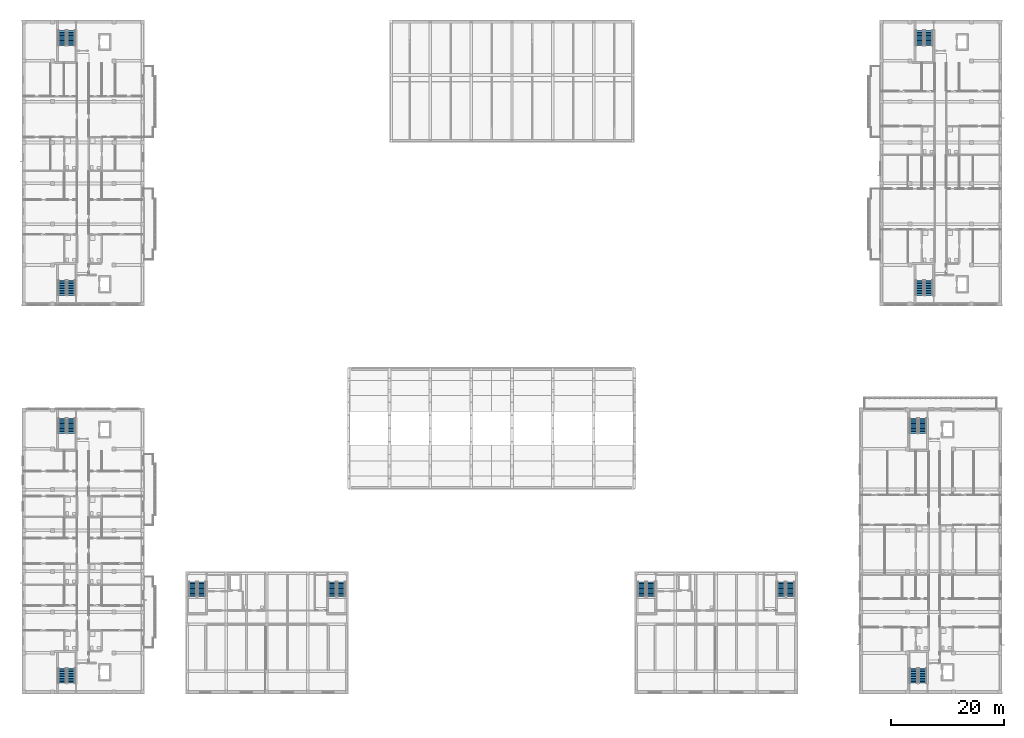
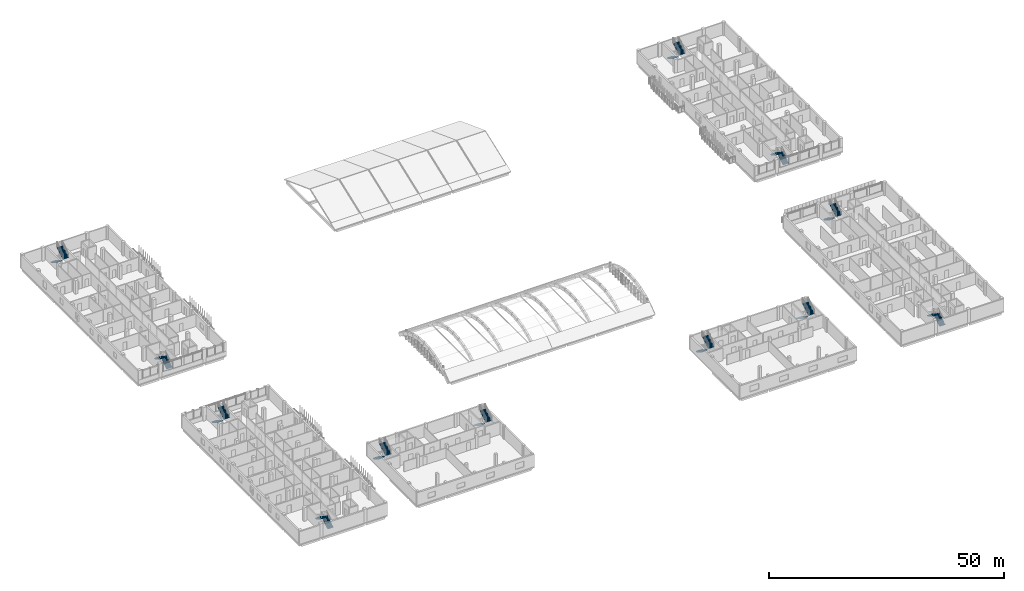
# One storey, part 52 of 73: 24 stair flights, 12 elements without a shape of their own.
"""IFC4 building model written with IfcOpenShell, lengths in metres."""

from ifc_helpers import new_model, si_unit, derived_unit, direction, frame, origin, place, context, subcontext, project, spatial, polyline, outline, extrude, material, type_object, element, aggregate, save


model = new_model("IFC4")

# Units and contexts
model_context = context("Model", 3, precision=1e-05, world=origin(), true_north=direction((0.0, 1.0)))
body_context = subcontext(model_context, "Body", "Model", "MODEL_VIEW")
ifc_project = project(units=[si_unit("LENGTHUNIT", "METRE"), si_unit("AREAUNIT", "SQUARE_METRE"), si_unit("VOLUMEUNIT", "CUBIC_METRE"), si_unit("PLANEANGLEUNIT", "RADIAN"), si_unit("MASSUNIT", "GRAM", prefix="KILO"), derived_unit("THERMALTRANSMITTANCEUNIT", [(si_unit("MASSUNIT", "GRAM", prefix="KILO"), 1), (si_unit("TIMEUNIT", "SECOND"), -3), (si_unit("THERMODYNAMICTEMPERATUREUNIT", "KELVIN"), -1)])], contexts=[model_context])

# Site, building, storey
site_placement = place(None, origin())
site = spatial("IfcSite", under=ifc_project, at=site_placement, CompositionType="ELEMENT")
building_placement = place(site_placement, origin())
building = spatial("IfcBuilding", under=site, at=building_placement, Name="Ochrekiln Boulevard Commons", CompositionType="ELEMENT")
storey_placement = place(building_placement, frame((0.0, 0.0, 8.574951171875)))
storey = spatial("IfcBuildingStorey", under=building, at=storey_placement, Name="L02", CompositionType="ELEMENT", Elevation=8.574951171875)

# Stair, stair flights
ifc_material = material(Name="Concrete C35/45", Category="concrete")
stair_type = type_object("IfcStairType", Name="STR-DL-350", PredefinedType="TWO_STRAIGHT_RUN_STAIR", material=ifc_material)
stair_1_placement = place(storey_placement, origin())
stair_1 = element("IfcStair", 1, at=stair_1_placement, inside=storey, type_object=stair_type, Name="L02 Enclosed Exit Stair ST-A1", PredefinedType="TWO_STRAIGHT_RUN_STAIR")
stair_flight_type = type_object("IfcStairFlightType", Name="SFL-ST-350", PredefinedType="STRAIGHT", material=ifc_material)
stair_flight_1_placement = place(storey_placement, frame((8.699951171875, 70.27001953125, 0.0), z_axis=(0.0, 0.0, 1.0), x_axis=(0.0, 1.0, 0.0)))
stair_flight_1 = element("IfcStairFlight", 2, at=stair_flight_1_placement, type_object=stair_flight_type, Name="ST-A1 flight 1", NumberOfRisers=10, NumberOfTreads=9, PredefinedType="STRAIGHT", RiserHeight=0.175, TreadLength=0.29, context=body_context, shape_type="SweptSolid", body=[
    extrude(outline(polyline([(0.0, 0.0), (0.0, 0.175048828125), (0.2900390625, 0.175048828125), (0.2900390625, 0.35009765625), (0.580078125, 0.35009765625), (0.580078125, 0.52490234375), (0.8701171875, 0.52490234375), (0.8701171875, 0.699951171875), (1.159912109375, 0.699951171875), (1.159912109375, 0.875), (1.449951171875, 0.875), (1.449951171875, 1.050048828125), (1.739990234375, 1.050048828125), (1.739990234375, 1.22509765625), (2.030029296875, 1.22509765625), (2.030029296875, 1.39990234375), (2.320068359375, 1.39990234375), (2.320068359375, 1.574951171875), (2.610107421875, 1.574951171875), (2.610107421875, 1.75), (2.610107421875, 1.38818359375), (0.3095703125, 0.0), (0.0, 0.0)])), frame((0.0, 0.699951171875, 0.0), z_axis=(0.0, -1.0, 0.0), x_axis=(1.0, 0.0, 0.0)), (0.0, 0.0, 1.0), 1.39990234375),
])
stair_flight_2_placement = place(storey_placement, frame((7.10009765625, 72.8798828125, 1.75), z_axis=(0.0, 0.0, 1.0), x_axis=(0.0, -1.0, 0.0)))
stair_flight_2 = element("IfcStairFlight", 3, at=stair_flight_2_placement, type_object=stair_flight_type, Name="ST-A1 flight 2", NumberOfRisers=10, NumberOfTreads=9, PredefinedType="STRAIGHT", RiserHeight=0.175, TreadLength=0.29, context=body_context, shape_type="SweptSolid", body=[
    extrude(outline(polyline([(0.0, 0.0), (0.0, 0.175048828125), (0.2900390625, 0.175048828125), (0.2900390625, 0.35009765625), (0.580078125, 0.35009765625), (0.580078125, 0.52490234375), (0.8701171875, 0.52490234375), (0.8701171875, 0.699951171875), (1.159912109375, 0.699951171875), (1.159912109375, 0.875), (1.449951171875, 0.875), (1.449951171875, 1.050048828125), (1.739990234375, 1.050048828125), (1.739990234375, 1.22509765625), (2.030029296875, 1.22509765625), (2.030029296875, 1.39990234375), (2.320068359375, 1.39990234375), (2.320068359375, 1.574951171875), (2.610107421875, 1.574951171875), (2.610107421875, 1.75), (2.610107421875, 1.38818359375), (0.3095703125, 0.0), (0.0, 0.0)])), frame((0.0, 0.699951171875, 0.0), z_axis=(0.0, -1.0, 0.0), x_axis=(1.0, 0.0, 0.0)), (0.0, 0.0, 1.0), 1.39990234375),
])
aggregate(stair_1, [stair_flight_1, stair_flight_2])

stair_2_placement = place(storey_placement, origin())
stair_2 = element("IfcStair", 4, at=stair_2_placement, inside=storey, type_object=stair_type, Name="L02 Enclosed Exit Stair ST-A2", PredefinedType="TWO_STRAIGHT_RUN_STAIR")
stair_flight_3_placement = place(storey_placement, frame((7.10009765625, 116.929931640625, 0.0), z_axis=(0.0, 0.0, 1.0), x_axis=(0.0, -1.0, 0.0)))
stair_flight_3 = element("IfcStairFlight", 5, at=stair_flight_3_placement, type_object=stair_flight_type, Name="ST-A2 flight 1", NumberOfRisers=10, NumberOfTreads=9, PredefinedType="STRAIGHT", RiserHeight=0.175, TreadLength=0.29, context=body_context, shape_type="SweptSolid", body=[
    extrude(outline(polyline([(0.0, 0.0), (0.0, 0.175048828125), (0.2900390625, 0.175048828125), (0.2900390625, 0.35009765625), (0.580078125, 0.35009765625), (0.580078125, 0.52490234375), (0.8701171875, 0.52490234375), (0.8701171875, 0.699951171875), (1.159912109375, 0.699951171875), (1.159912109375, 0.875), (1.449951171875, 0.875), (1.449951171875, 1.050048828125), (1.739990234375, 1.050048828125), (1.739990234375, 1.22509765625), (2.030029296875, 1.22509765625), (2.030029296875, 1.39990234375), (2.320068359375, 1.39990234375), (2.320068359375, 1.574951171875), (2.610107421875, 1.574951171875), (2.610107421875, 1.75), (2.610107421875, 1.38818359375), (0.3095703125, 0.0), (0.0, 0.0)])), frame((0.0, 0.699951171875, 0.0), z_axis=(0.0, -1.0, 0.0), x_axis=(1.0, 0.0, 0.0)), (0.0, 0.0, 1.0), 1.39990234375),
])
stair_flight_4_placement = place(storey_placement, frame((8.699951171875, 114.320068359375, 1.75), z_axis=(0.0, 0.0, 1.0), x_axis=(0.0, 1.0, 0.0)))
stair_flight_4 = element("IfcStairFlight", 6, at=stair_flight_4_placement, type_object=stair_flight_type, Name="ST-A2 flight 2", NumberOfRisers=10, NumberOfTreads=9, PredefinedType="STRAIGHT", RiserHeight=0.175, TreadLength=0.29, context=body_context, shape_type="SweptSolid", body=[
    extrude(outline(polyline([(0.0, 0.0), (0.0, 0.175048828125), (0.2900390625, 0.175048828125), (0.2900390625, 0.35009765625), (0.580078125, 0.35009765625), (0.580078125, 0.52490234375), (0.8701171875, 0.52490234375), (0.8701171875, 0.699951171875), (1.159912109375, 0.699951171875), (1.159912109375, 0.875), (1.449951171875, 0.875), (1.449951171875, 1.050048828125), (1.739990234375, 1.050048828125), (1.739990234375, 1.22509765625), (2.030029296875, 1.22509765625), (2.030029296875, 1.39990234375), (2.320068359375, 1.39990234375), (2.320068359375, 1.574951171875), (2.610107421875, 1.574951171875), (2.610107421875, 1.75), (2.610107421875, 1.38818359375), (0.3095703125, 0.0), (0.0, 0.0)])), frame((0.0, 0.699951171875, 0.0), z_axis=(0.0, -1.0, 0.0), x_axis=(1.0, 0.0, 0.0)), (0.0, 0.0, 1.0), 1.39990234375),
])
aggregate(stair_2, [stair_flight_3, stair_flight_4])

stair_3_placement = place(storey_placement, origin())
stair_3 = element("IfcStair", 7, at=stair_3_placement, inside=storey, type_object=stair_type, Name="L02 Enclosed Exit Stair ST-B1", PredefinedType="TWO_STRAIGHT_RUN_STAIR")
stair_flight_5_placement = place(storey_placement, frame((159.89990234375, 70.27001953125, 0.0), z_axis=(0.0, 0.0, 1.0), x_axis=(0.0, 1.0, 0.0)))
stair_flight_5 = element("IfcStairFlight", 8, at=stair_flight_5_placement, type_object=stair_flight_type, Name="ST-B1 flight 1", NumberOfRisers=10, NumberOfTreads=9, PredefinedType="STRAIGHT", RiserHeight=0.175, TreadLength=0.29, context=body_context, shape_type="SweptSolid", body=[
    extrude(outline(polyline([(0.0, 0.0), (0.0, 0.175048828125), (0.2900390625, 0.175048828125), (0.2900390625, 0.35009765625), (0.580078125, 0.35009765625), (0.580078125, 0.52490234375), (0.8701171875, 0.52490234375), (0.8701171875, 0.699951171875), (1.159912109375, 0.699951171875), (1.159912109375, 0.875), (1.449951171875, 0.875), (1.449951171875, 1.050048828125), (1.739990234375, 1.050048828125), (1.739990234375, 1.22509765625), (2.030029296875, 1.22509765625), (2.030029296875, 1.39990234375), (2.320068359375, 1.39990234375), (2.320068359375, 1.574951171875), (2.610107421875, 1.574951171875), (2.610107421875, 1.75), (2.610107421875, 1.38818359375), (0.3095703125, 0.0), (0.0, 0.0)])), frame((0.0, 0.699951171875, 0.0), z_axis=(0.0, -1.0, 0.0), x_axis=(1.0, 0.0, 0.0)), (0.0, 0.0, 1.0), 1.39990234375),
])
stair_flight_6_placement = place(storey_placement, frame((158.300048828125, 72.8798828125, 1.75), z_axis=(0.0, 0.0, 1.0), x_axis=(0.0, -1.0, 0.0)))
stair_flight_6 = element("IfcStairFlight", 9, at=stair_flight_6_placement, type_object=stair_flight_type, Name="ST-B1 flight 2", NumberOfRisers=10, NumberOfTreads=9, PredefinedType="STRAIGHT", RiserHeight=0.175, TreadLength=0.29, context=body_context, shape_type="SweptSolid", body=[
    extrude(outline(polyline([(0.0, 0.0), (0.0, 0.175048828125), (0.2900390625, 0.175048828125), (0.2900390625, 0.35009765625), (0.580078125, 0.35009765625), (0.580078125, 0.52490234375), (0.8701171875, 0.52490234375), (0.8701171875, 0.699951171875), (1.159912109375, 0.699951171875), (1.159912109375, 0.875), (1.449951171875, 0.875), (1.449951171875, 1.050048828125), (1.739990234375, 1.050048828125), (1.739990234375, 1.22509765625), (2.030029296875, 1.22509765625), (2.030029296875, 1.39990234375), (2.320068359375, 1.39990234375), (2.320068359375, 1.574951171875), (2.610107421875, 1.574951171875), (2.610107421875, 1.75), (2.610107421875, 1.38818359375), (0.3095703125, 0.0), (0.0, 0.0)])), frame((0.0, 0.699951171875, 0.0), z_axis=(0.0, -1.0, 0.0), x_axis=(1.0, 0.0, 0.0)), (0.0, 0.0, 1.0), 1.39990234375),
])
aggregate(stair_3, [stair_flight_5, stair_flight_6])

stair_4_placement = place(storey_placement, origin())
stair_4 = element("IfcStair", 10, at=stair_4_placement, inside=storey, type_object=stair_type, Name="L02 Enclosed Exit Stair ST-B2", PredefinedType="TWO_STRAIGHT_RUN_STAIR")
stair_flight_7_placement = place(storey_placement, frame((158.300048828125, 116.929931640625, 0.0), z_axis=(0.0, 0.0, 1.0), x_axis=(0.0, -1.0, 0.0)))
stair_flight_7 = element("IfcStairFlight", 11, at=stair_flight_7_placement, type_object=stair_flight_type, Name="ST-B2 flight 1", NumberOfRisers=10, NumberOfTreads=9, PredefinedType="STRAIGHT", RiserHeight=0.175, TreadLength=0.29, context=body_context, shape_type="SweptSolid", body=[
    extrude(outline(polyline([(0.0, 0.0), (0.0, 0.175048828125), (0.2900390625, 0.175048828125), (0.2900390625, 0.35009765625), (0.580078125, 0.35009765625), (0.580078125, 0.52490234375), (0.8701171875, 0.52490234375), (0.8701171875, 0.699951171875), (1.159912109375, 0.699951171875), (1.159912109375, 0.875), (1.449951171875, 0.875), (1.449951171875, 1.050048828125), (1.739990234375, 1.050048828125), (1.739990234375, 1.22509765625), (2.030029296875, 1.22509765625), (2.030029296875, 1.39990234375), (2.320068359375, 1.39990234375), (2.320068359375, 1.574951171875), (2.610107421875, 1.574951171875), (2.610107421875, 1.75), (2.610107421875, 1.38818359375), (0.3095703125, 0.0), (0.0, 0.0)])), frame((0.0, 0.699951171875, 0.0), z_axis=(0.0, -1.0, 0.0), x_axis=(1.0, 0.0, 0.0)), (0.0, 0.0, 1.0), 1.39990234375),
])
stair_flight_8_placement = place(storey_placement, frame((159.89990234375, 114.320068359375, 1.75), z_axis=(0.0, 0.0, 1.0), x_axis=(0.0, 1.0, 0.0)))
stair_flight_8 = element("IfcStairFlight", 12, at=stair_flight_8_placement, type_object=stair_flight_type, Name="ST-B2 flight 2", NumberOfRisers=10, NumberOfTreads=9, PredefinedType="STRAIGHT", RiserHeight=0.175, TreadLength=0.29, context=body_context, shape_type="SweptSolid", body=[
    extrude(outline(polyline([(0.0, 0.0), (0.0, 0.175048828125), (0.2900390625, 0.175048828125), (0.2900390625, 0.35009765625), (0.580078125, 0.35009765625), (0.580078125, 0.52490234375), (0.8701171875, 0.52490234375), (0.8701171875, 0.699951171875), (1.159912109375, 0.699951171875), (1.159912109375, 0.875), (1.449951171875, 0.875), (1.449951171875, 1.050048828125), (1.739990234375, 1.050048828125), (1.739990234375, 1.22509765625), (2.030029296875, 1.22509765625), (2.030029296875, 1.39990234375), (2.320068359375, 1.39990234375), (2.320068359375, 1.574951171875), (2.610107421875, 1.574951171875), (2.610107421875, 1.75), (2.610107421875, 1.38818359375), (0.3095703125, 0.0), (0.0, 0.0)])), frame((0.0, 0.699951171875, 0.0), z_axis=(0.0, -1.0, 0.0), x_axis=(1.0, 0.0, 0.0)), (0.0, 0.0, 1.0), 1.39990234375),
])
aggregate(stair_4, [stair_flight_7, stair_flight_8])

stair_5_placement = place(storey_placement, origin())
stair_5 = element("IfcStair", 13, at=stair_5_placement, inside=storey, type_object=stair_type, Name="L02 Enclosed Exit Stair ST-C1", PredefinedType="TWO_STRAIGHT_RUN_STAIR")
stair_flight_9_placement = place(storey_placement, frame((158.800048828125, 1.8701171875, 0.0), z_axis=(0.0, 0.0, 1.0), x_axis=(0.0, 1.0, 0.0)))
stair_flight_9 = element("IfcStairFlight", 14, at=stair_flight_9_placement, type_object=stair_flight_type, Name="ST-C1 flight 1", NumberOfRisers=10, NumberOfTreads=9, PredefinedType="STRAIGHT", RiserHeight=0.175, TreadLength=0.29, context=body_context, shape_type="SweptSolid", body=[
    extrude(outline(polyline([(0.0, 0.0), (0.0, 0.175048828125), (0.2900390625, 0.175048828125), (0.2900390625, 0.35009765625), (0.580078125, 0.35009765625), (0.580078125, 0.52490234375), (0.8701171875, 0.52490234375), (0.8701171875, 0.699951171875), (1.159912109375, 0.699951171875), (1.159912109375, 0.875), (1.449951171875, 0.875), (1.449951171875, 1.050048828125), (1.739990234375, 1.050048828125), (1.739990234375, 1.22509765625), (2.030029296875, 1.22509765625), (2.030029296875, 1.39990234375), (2.320068359375, 1.39990234375), (2.320068359375, 1.574951171875), (2.610107421875, 1.574951171875), (2.610107421875, 1.75), (2.610107421875, 1.38818359375), (0.3095703125, 0.0), (0.0, 0.0)])), frame((0.0, 0.699951171875, 0.0), z_axis=(0.0, -1.0, 0.0), x_axis=(1.0, 0.0, 0.0)), (0.0, 0.0, 1.0), 1.39990234375),
])
stair_flight_10_placement = place(storey_placement, frame((157.199951171875, 4.47998046875, 1.75), z_axis=(0.0, 0.0, 1.0), x_axis=(0.0, -1.0, 0.0)))
stair_flight_10 = element("IfcStairFlight", 15, at=stair_flight_10_placement, type_object=stair_flight_type, Name="ST-C1 flight 2", NumberOfRisers=10, NumberOfTreads=9, PredefinedType="STRAIGHT", RiserHeight=0.175, TreadLength=0.29, context=body_context, shape_type="SweptSolid", body=[
    extrude(outline(polyline([(0.0, 0.0), (0.0, 0.175048828125), (0.2900390625, 0.175048828125), (0.2900390625, 0.35009765625), (0.580078125, 0.35009765625), (0.580078125, 0.52490234375), (0.8701171875, 0.52490234375), (0.8701171875, 0.699951171875), (1.159912109375, 0.699951171875), (1.159912109375, 0.875), (1.449951171875, 0.875), (1.449951171875, 1.050048828125), (1.739990234375, 1.050048828125), (1.739990234375, 1.22509765625), (2.030029296875, 1.22509765625), (2.030029296875, 1.39990234375), (2.320068359375, 1.39990234375), (2.320068359375, 1.574951171875), (2.610107421875, 1.574951171875), (2.610107421875, 1.75), (2.610107421875, 1.38818359375), (0.3095703125, 0.0), (0.0, 0.0)])), frame((0.0, 0.699951171875, 0.0), z_axis=(0.0, -1.0, 0.0), x_axis=(1.0, 0.0, 0.0)), (0.0, 0.0, 1.0), 1.39990234375),
])
aggregate(stair_5, [stair_flight_9, stair_flight_10])

stair_6_placement = place(storey_placement, origin())
stair_6 = element("IfcStair", 16, at=stair_6_placement, inside=storey, type_object=stair_type, Name="L02 Enclosed Exit Stair ST-C2", PredefinedType="TWO_STRAIGHT_RUN_STAIR")
stair_flight_11_placement = place(storey_placement, frame((157.199951171875, 48.530029296875, 0.0), z_axis=(0.0, 0.0, 1.0), x_axis=(0.0, -1.0, 0.0)))
stair_flight_11 = element("IfcStairFlight", 17, at=stair_flight_11_placement, type_object=stair_flight_type, Name="ST-C2 flight 1", NumberOfRisers=10, NumberOfTreads=9, PredefinedType="STRAIGHT", RiserHeight=0.175, TreadLength=0.29, context=body_context, shape_type="SweptSolid", body=[
    extrude(outline(polyline([(0.0, 0.0), (0.0, 0.175048828125), (0.2900390625, 0.175048828125), (0.2900390625, 0.35009765625), (0.580078125, 0.35009765625), (0.580078125, 0.52490234375), (0.8701171875, 0.52490234375), (0.8701171875, 0.699951171875), (1.159912109375, 0.699951171875), (1.159912109375, 0.875), (1.449951171875, 0.875), (1.449951171875, 1.050048828125), (1.739990234375, 1.050048828125), (1.739990234375, 1.22509765625), (2.030029296875, 1.22509765625), (2.030029296875, 1.39990234375), (2.320068359375, 1.39990234375), (2.320068359375, 1.574951171875), (2.610107421875, 1.574951171875), (2.610107421875, 1.75), (2.610107421875, 1.38818359375), (0.3095703125, 0.0), (0.0, 0.0)])), frame((0.0, 0.699951171875, 0.0), z_axis=(0.0, -1.0, 0.0), x_axis=(1.0, 0.0, 0.0)), (0.0, 0.0, 1.0), 1.39990234375),
])
stair_flight_12_placement = place(storey_placement, frame((158.800048828125, 45.919921875, 1.75), z_axis=(0.0, 0.0, 1.0), x_axis=(0.0, 1.0, 0.0)))
stair_flight_12 = element("IfcStairFlight", 18, at=stair_flight_12_placement, type_object=stair_flight_type, Name="ST-C2 flight 2", NumberOfRisers=10, NumberOfTreads=9, PredefinedType="STRAIGHT", RiserHeight=0.175, TreadLength=0.29, context=body_context, shape_type="SweptSolid", body=[
    extrude(outline(polyline([(0.0, 0.0), (0.0, 0.175048828125), (0.2900390625, 0.175048828125), (0.2900390625, 0.35009765625), (0.580078125, 0.35009765625), (0.580078125, 0.52490234375), (0.8701171875, 0.52490234375), (0.8701171875, 0.699951171875), (1.159912109375, 0.699951171875), (1.159912109375, 0.875), (1.449951171875, 0.875), (1.449951171875, 1.050048828125), (1.739990234375, 1.050048828125), (1.739990234375, 1.22509765625), (2.030029296875, 1.22509765625), (2.030029296875, 1.39990234375), (2.320068359375, 1.39990234375), (2.320068359375, 1.574951171875), (2.610107421875, 1.574951171875), (2.610107421875, 1.75), (2.610107421875, 1.38818359375), (0.3095703125, 0.0), (0.0, 0.0)])), frame((0.0, 0.699951171875, 0.0), z_axis=(0.0, -1.0, 0.0), x_axis=(1.0, 0.0, 0.0)), (0.0, 0.0, 1.0), 1.39990234375),
])
aggregate(stair_6, [stair_flight_11, stair_flight_12])

stair_7_placement = place(storey_placement, origin())
stair_7 = element("IfcStair", 19, at=stair_7_placement, inside=storey, type_object=stair_type, Name="L02 Enclosed Exit Stair ST-D1", PredefinedType="TWO_STRAIGHT_RUN_STAIR")
stair_flight_13_placement = place(storey_placement, frame((8.699951171875, 1.8701171875, 0.0), z_axis=(0.0, 0.0, 1.0), x_axis=(0.0, 1.0, 0.0)))
stair_flight_13 = element("IfcStairFlight", 20, at=stair_flight_13_placement, type_object=stair_flight_type, Name="ST-D1 flight 1", NumberOfRisers=10, NumberOfTreads=9, PredefinedType="STRAIGHT", RiserHeight=0.175, TreadLength=0.29, context=body_context, shape_type="SweptSolid", body=[
    extrude(outline(polyline([(0.0, 0.0), (0.0, 0.175048828125), (0.2900390625, 0.175048828125), (0.2900390625, 0.35009765625), (0.580078125, 0.35009765625), (0.580078125, 0.52490234375), (0.8701171875, 0.52490234375), (0.8701171875, 0.699951171875), (1.159912109375, 0.699951171875), (1.159912109375, 0.875), (1.449951171875, 0.875), (1.449951171875, 1.050048828125), (1.739990234375, 1.050048828125), (1.739990234375, 1.22509765625), (2.030029296875, 1.22509765625), (2.030029296875, 1.39990234375), (2.320068359375, 1.39990234375), (2.320068359375, 1.574951171875), (2.610107421875, 1.574951171875), (2.610107421875, 1.75), (2.610107421875, 1.38818359375), (0.3095703125, 0.0), (0.0, 0.0)])), frame((0.0, 0.699951171875, 0.0), z_axis=(0.0, -1.0, 0.0), x_axis=(1.0, 0.0, 0.0)), (0.0, 0.0, 1.0), 1.39990234375),
])
stair_flight_14_placement = place(storey_placement, frame((7.10009765625, 4.47998046875, 1.75), z_axis=(0.0, 0.0, 1.0), x_axis=(0.0, -1.0, 0.0)))
stair_flight_14 = element("IfcStairFlight", 21, at=stair_flight_14_placement, type_object=stair_flight_type, Name="ST-D1 flight 2", NumberOfRisers=10, NumberOfTreads=9, PredefinedType="STRAIGHT", RiserHeight=0.175, TreadLength=0.29, context=body_context, shape_type="SweptSolid", body=[
    extrude(outline(polyline([(0.0, 0.0), (0.0, 0.175048828125), (0.2900390625, 0.175048828125), (0.2900390625, 0.35009765625), (0.580078125, 0.35009765625), (0.580078125, 0.52490234375), (0.8701171875, 0.52490234375), (0.8701171875, 0.699951171875), (1.159912109375, 0.699951171875), (1.159912109375, 0.875), (1.449951171875, 0.875), (1.449951171875, 1.050048828125), (1.739990234375, 1.050048828125), (1.739990234375, 1.22509765625), (2.030029296875, 1.22509765625), (2.030029296875, 1.39990234375), (2.320068359375, 1.39990234375), (2.320068359375, 1.574951171875), (2.610107421875, 1.574951171875), (2.610107421875, 1.75), (2.610107421875, 1.38818359375), (0.3095703125, 0.0), (0.0, 0.0)])), frame((0.0, 0.699951171875, 0.0), z_axis=(0.0, -1.0, 0.0), x_axis=(1.0, 0.0, 0.0)), (0.0, 0.0, 1.0), 1.39990234375),
])
aggregate(stair_7, [stair_flight_13, stair_flight_14])

stair_8_placement = place(storey_placement, origin())
stair_8 = element("IfcStair", 22, at=stair_8_placement, inside=storey, type_object=stair_type, Name="L02 Enclosed Exit Stair ST-D2", PredefinedType="TWO_STRAIGHT_RUN_STAIR")
stair_flight_15_placement = place(storey_placement, frame((7.10009765625, 48.530029296875, 0.0), z_axis=(0.0, 0.0, 1.0), x_axis=(0.0, -1.0, 0.0)))
stair_flight_15 = element("IfcStairFlight", 23, at=stair_flight_15_placement, type_object=stair_flight_type, Name="ST-D2 flight 1", NumberOfRisers=10, NumberOfTreads=9, PredefinedType="STRAIGHT", RiserHeight=0.175, TreadLength=0.29, context=body_context, shape_type="SweptSolid", body=[
    extrude(outline(polyline([(0.0, 0.0), (0.0, 0.175048828125), (0.2900390625, 0.175048828125), (0.2900390625, 0.35009765625), (0.580078125, 0.35009765625), (0.580078125, 0.52490234375), (0.8701171875, 0.52490234375), (0.8701171875, 0.699951171875), (1.159912109375, 0.699951171875), (1.159912109375, 0.875), (1.449951171875, 0.875), (1.449951171875, 1.050048828125), (1.739990234375, 1.050048828125), (1.739990234375, 1.22509765625), (2.030029296875, 1.22509765625), (2.030029296875, 1.39990234375), (2.320068359375, 1.39990234375), (2.320068359375, 1.574951171875), (2.610107421875, 1.574951171875), (2.610107421875, 1.75), (2.610107421875, 1.38818359375), (0.3095703125, 0.0), (0.0, 0.0)])), frame((0.0, 0.699951171875, 0.0), z_axis=(0.0, -1.0, 0.0), x_axis=(1.0, 0.0, 0.0)), (0.0, 0.0, 1.0), 1.39990234375),
])
stair_flight_16_placement = place(storey_placement, frame((8.699951171875, 45.919921875, 1.75), z_axis=(0.0, 0.0, 1.0), x_axis=(0.0, 1.0, 0.0)))
stair_flight_16 = element("IfcStairFlight", 24, at=stair_flight_16_placement, type_object=stair_flight_type, Name="ST-D2 flight 2", NumberOfRisers=10, NumberOfTreads=9, PredefinedType="STRAIGHT", RiserHeight=0.175, TreadLength=0.29, context=body_context, shape_type="SweptSolid", body=[
    extrude(outline(polyline([(0.0, 0.0), (0.0, 0.175048828125), (0.2900390625, 0.175048828125), (0.2900390625, 0.35009765625), (0.580078125, 0.35009765625), (0.580078125, 0.52490234375), (0.8701171875, 0.52490234375), (0.8701171875, 0.699951171875), (1.159912109375, 0.699951171875), (1.159912109375, 0.875), (1.449951171875, 0.875), (1.449951171875, 1.050048828125), (1.739990234375, 1.050048828125), (1.739990234375, 1.22509765625), (2.030029296875, 1.22509765625), (2.030029296875, 1.39990234375), (2.320068359375, 1.39990234375), (2.320068359375, 1.574951171875), (2.610107421875, 1.574951171875), (2.610107421875, 1.75), (2.610107421875, 1.38818359375), (0.3095703125, 0.0), (0.0, 0.0)])), frame((0.0, 0.699951171875, 0.0), z_axis=(0.0, -1.0, 0.0), x_axis=(1.0, 0.0, 0.0)), (0.0, 0.0, 1.0), 1.39990234375),
])
aggregate(stair_8, [stair_flight_15, stair_flight_16])

stair_9_placement = place(storey_placement, origin())
stair_9 = element("IfcStair", 25, at=stair_9_placement, inside=storey, type_object=stair_type, Name="L02 Enclosed Exit Stair ST-W1", PredefinedType="TWO_STRAIGHT_RUN_STAIR")
stair_flight_17_placement = place(storey_placement, frame((30.10009765625, 19.72998046875, 0.0), z_axis=(0.0, 0.0, 1.0), x_axis=(0.0, -1.0, 0.0)))
stair_flight_17 = element("IfcStairFlight", 26, at=stair_flight_17_placement, type_object=stair_flight_type, Name="ST-W1 flight 1", NumberOfRisers=10, NumberOfTreads=9, PredefinedType="STRAIGHT", RiserHeight=0.175, TreadLength=0.29, context=body_context, shape_type="SweptSolid", body=[
    extrude(outline(polyline([(0.0, 0.0), (0.0, 0.175048828125), (0.2900390625, 0.175048828125), (0.2900390625, 0.35009765625), (0.580078125, 0.35009765625), (0.580078125, 0.52490234375), (0.8701171875, 0.52490234375), (0.8701171875, 0.699951171875), (1.159912109375, 0.699951171875), (1.159912109375, 0.875), (1.449951171875, 0.875), (1.449951171875, 1.050048828125), (1.739990234375, 1.050048828125), (1.739990234375, 1.22509765625), (2.030029296875, 1.22509765625), (2.030029296875, 1.39990234375), (2.320068359375, 1.39990234375), (2.320068359375, 1.574951171875), (2.610107421875, 1.574951171875), (2.610107421875, 1.75), (2.610107421875, 1.38818359375), (0.3095703125, 0.0), (0.0, 0.0)])), frame((0.0, 0.699951171875, 0.0), z_axis=(0.0, -1.0, 0.0), x_axis=(1.0, 0.0, 0.0)), (0.0, 0.0, 1.0), 1.39990234375),
])
stair_flight_18_placement = place(storey_placement, frame((31.699951171875, 17.1201171875, 1.75), z_axis=(0.0, 0.0, 1.0), x_axis=(0.0, 1.0, 0.0)))
stair_flight_18 = element("IfcStairFlight", 27, at=stair_flight_18_placement, type_object=stair_flight_type, Name="ST-W1 flight 2", NumberOfRisers=10, NumberOfTreads=9, PredefinedType="STRAIGHT", RiserHeight=0.175, TreadLength=0.29, context=body_context, shape_type="SweptSolid", body=[
    extrude(outline(polyline([(0.0, 0.0), (0.0, 0.175048828125), (0.2900390625, 0.175048828125), (0.2900390625, 0.35009765625), (0.580078125, 0.35009765625), (0.580078125, 0.52490234375), (0.8701171875, 0.52490234375), (0.8701171875, 0.699951171875), (1.159912109375, 0.699951171875), (1.159912109375, 0.875), (1.449951171875, 0.875), (1.449951171875, 1.050048828125), (1.739990234375, 1.050048828125), (1.739990234375, 1.22509765625), (2.030029296875, 1.22509765625), (2.030029296875, 1.39990234375), (2.320068359375, 1.39990234375), (2.320068359375, 1.574951171875), (2.610107421875, 1.574951171875), (2.610107421875, 1.75), (2.610107421875, 1.38818359375), (0.3095703125, 0.0), (0.0, 0.0)])), frame((0.0, 0.699951171875, 0.0), z_axis=(0.0, -1.0, 0.0), x_axis=(1.0, 0.0, 0.0)), (0.0, 0.0, 1.0), 1.39990234375),
])
aggregate(stair_9, [stair_flight_17, stair_flight_18])

stair_10_placement = place(storey_placement, origin())
stair_10 = element("IfcStair", 28, at=stair_10_placement, inside=storey, type_object=stair_type, Name="L02 Enclosed Exit Stair ST-W2", PredefinedType="TWO_STRAIGHT_RUN_STAIR")
stair_flight_19_placement = place(storey_placement, frame((54.699951171875, 19.72998046875, 0.0), z_axis=(0.0, 0.0, 1.0), x_axis=(0.0, -1.0, 0.0)))
stair_flight_19 = element("IfcStairFlight", 29, at=stair_flight_19_placement, type_object=stair_flight_type, Name="ST-W2 flight 1", NumberOfRisers=10, NumberOfTreads=9, PredefinedType="STRAIGHT", RiserHeight=0.175, TreadLength=0.29, context=body_context, shape_type="SweptSolid", body=[
    extrude(outline(polyline([(0.0, 0.0), (0.0, 0.175048828125), (0.2900390625, 0.175048828125), (0.2900390625, 0.35009765625), (0.580078125, 0.35009765625), (0.580078125, 0.52490234375), (0.8701171875, 0.52490234375), (0.8701171875, 0.699951171875), (1.159912109375, 0.699951171875), (1.159912109375, 0.875), (1.449951171875, 0.875), (1.449951171875, 1.050048828125), (1.739990234375, 1.050048828125), (1.739990234375, 1.22509765625), (2.030029296875, 1.22509765625), (2.030029296875, 1.39990234375), (2.320068359375, 1.39990234375), (2.320068359375, 1.574951171875), (2.610107421875, 1.574951171875), (2.610107421875, 1.75), (2.610107421875, 1.38818359375), (0.3095703125, 0.0), (0.0, 0.0)])), frame((0.0, 0.699951171875, 0.0), z_axis=(0.0, -1.0, 0.0), x_axis=(1.0, 0.0, 0.0)), (0.0, 0.0, 1.0), 1.39990234375),
])
stair_flight_20_placement = place(storey_placement, frame((56.300048828125, 17.1201171875, 1.75), z_axis=(0.0, 0.0, 1.0), x_axis=(0.0, 1.0, 0.0)))
stair_flight_20 = element("IfcStairFlight", 30, at=stair_flight_20_placement, type_object=stair_flight_type, Name="ST-W2 flight 2", NumberOfRisers=10, NumberOfTreads=9, PredefinedType="STRAIGHT", RiserHeight=0.175, TreadLength=0.29, context=body_context, shape_type="SweptSolid", body=[
    extrude(outline(polyline([(0.0, 0.0), (0.0, 0.175048828125), (0.2900390625, 0.175048828125), (0.2900390625, 0.35009765625), (0.580078125, 0.35009765625), (0.580078125, 0.52490234375), (0.8701171875, 0.52490234375), (0.8701171875, 0.699951171875), (1.159912109375, 0.699951171875), (1.159912109375, 0.875), (1.449951171875, 0.875), (1.449951171875, 1.050048828125), (1.739990234375, 1.050048828125), (1.739990234375, 1.22509765625), (2.030029296875, 1.22509765625), (2.030029296875, 1.39990234375), (2.320068359375, 1.39990234375), (2.320068359375, 1.574951171875), (2.610107421875, 1.574951171875), (2.610107421875, 1.75), (2.610107421875, 1.38818359375), (0.3095703125, 0.0), (0.0, 0.0)])), frame((0.0, 0.699951171875, 0.0), z_axis=(0.0, -1.0, 0.0), x_axis=(1.0, 0.0, 0.0)), (0.0, 0.0, 1.0), 1.39990234375),
])
aggregate(stair_10, [stair_flight_19, stair_flight_20])

stair_11_placement = place(storey_placement, origin())
stair_11 = element("IfcStair", 31, at=stair_11_placement, inside=storey, type_object=stair_type, Name="L02 Enclosed Exit Stair ST-E1", PredefinedType="TWO_STRAIGHT_RUN_STAIR")
stair_flight_21_placement = place(storey_placement, frame((109.300048828125, 19.72998046875, 0.0), z_axis=(0.0, 0.0, 1.0), x_axis=(0.0, -1.0, 0.0)))
stair_flight_21 = element("IfcStairFlight", 32, at=stair_flight_21_placement, type_object=stair_flight_type, Name="ST-E1 flight 1", NumberOfRisers=10, NumberOfTreads=9, PredefinedType="STRAIGHT", RiserHeight=0.175, TreadLength=0.29, context=body_context, shape_type="SweptSolid", body=[
    extrude(outline(polyline([(0.0, 0.0), (0.0, 0.175048828125), (0.2900390625, 0.175048828125), (0.2900390625, 0.35009765625), (0.580078125, 0.35009765625), (0.580078125, 0.52490234375), (0.8701171875, 0.52490234375), (0.8701171875, 0.699951171875), (1.159912109375, 0.699951171875), (1.159912109375, 0.875), (1.449951171875, 0.875), (1.449951171875, 1.050048828125), (1.739990234375, 1.050048828125), (1.739990234375, 1.22509765625), (2.030029296875, 1.22509765625), (2.030029296875, 1.39990234375), (2.320068359375, 1.39990234375), (2.320068359375, 1.574951171875), (2.610107421875, 1.574951171875), (2.610107421875, 1.75), (2.610107421875, 1.38818359375), (0.3095703125, 0.0), (0.0, 0.0)])), frame((0.0, 0.699951171875, 0.0), z_axis=(0.0, -1.0, 0.0), x_axis=(1.0, 0.0, 0.0)), (0.0, 0.0, 1.0), 1.39990234375),
])
stair_flight_22_placement = place(storey_placement, frame((110.89990234375, 17.1201171875, 1.75), z_axis=(0.0, 0.0, 1.0), x_axis=(0.0, 1.0, 0.0)))
stair_flight_22 = element("IfcStairFlight", 33, at=stair_flight_22_placement, type_object=stair_flight_type, Name="ST-E1 flight 2", NumberOfRisers=10, NumberOfTreads=9, PredefinedType="STRAIGHT", RiserHeight=0.175, TreadLength=0.29, context=body_context, shape_type="SweptSolid", body=[
    extrude(outline(polyline([(0.0, 0.0), (0.0, 0.175048828125), (0.2900390625, 0.175048828125), (0.2900390625, 0.35009765625), (0.580078125, 0.35009765625), (0.580078125, 0.52490234375), (0.8701171875, 0.52490234375), (0.8701171875, 0.699951171875), (1.159912109375, 0.699951171875), (1.159912109375, 0.875), (1.449951171875, 0.875), (1.449951171875, 1.050048828125), (1.739990234375, 1.050048828125), (1.739990234375, 1.22509765625), (2.030029296875, 1.22509765625), (2.030029296875, 1.39990234375), (2.320068359375, 1.39990234375), (2.320068359375, 1.574951171875), (2.610107421875, 1.574951171875), (2.610107421875, 1.75), (2.610107421875, 1.38818359375), (0.3095703125, 0.0), (0.0, 0.0)])), frame((0.0, 0.699951171875, 0.0), z_axis=(0.0, -1.0, 0.0), x_axis=(1.0, 0.0, 0.0)), (0.0, 0.0, 1.0), 1.39990234375),
])
aggregate(stair_11, [stair_flight_21, stair_flight_22])

stair_12_placement = place(storey_placement, origin())
stair_12 = element("IfcStair", 34, at=stair_12_placement, inside=storey, type_object=stair_type, Name="L02 Enclosed Exit Stair ST-E2", PredefinedType="TWO_STRAIGHT_RUN_STAIR")
stair_flight_23_placement = place(storey_placement, frame((133.89990234375, 19.72998046875, 0.0), z_axis=(0.0, 0.0, 1.0), x_axis=(0.0, -1.0, 0.0)))
stair_flight_23 = element("IfcStairFlight", 35, at=stair_flight_23_placement, type_object=stair_flight_type, Name="ST-E2 flight 1", NumberOfRisers=10, NumberOfTreads=9, PredefinedType="STRAIGHT", RiserHeight=0.175, TreadLength=0.29, context=body_context, shape_type="SweptSolid", body=[
    extrude(outline(polyline([(0.0, 0.0), (0.0, 0.175048828125), (0.2900390625, 0.175048828125), (0.2900390625, 0.35009765625), (0.580078125, 0.35009765625), (0.580078125, 0.52490234375), (0.8701171875, 0.52490234375), (0.8701171875, 0.699951171875), (1.159912109375, 0.699951171875), (1.159912109375, 0.875), (1.449951171875, 0.875), (1.449951171875, 1.050048828125), (1.739990234375, 1.050048828125), (1.739990234375, 1.22509765625), (2.030029296875, 1.22509765625), (2.030029296875, 1.39990234375), (2.320068359375, 1.39990234375), (2.320068359375, 1.574951171875), (2.610107421875, 1.574951171875), (2.610107421875, 1.75), (2.610107421875, 1.38818359375), (0.3095703125, 0.0), (0.0, 0.0)])), frame((0.0, 0.699951171875, 0.0), z_axis=(0.0, -1.0, 0.0), x_axis=(1.0, 0.0, 0.0)), (0.0, 0.0, 1.0), 1.39990234375),
])
stair_flight_24_placement = place(storey_placement, frame((135.5, 17.1201171875, 1.75), z_axis=(0.0, 0.0, 1.0), x_axis=(0.0, 1.0, 0.0)))
stair_flight_24 = element("IfcStairFlight", 36, at=stair_flight_24_placement, type_object=stair_flight_type, Name="ST-E2 flight 2", NumberOfRisers=10, NumberOfTreads=9, PredefinedType="STRAIGHT", RiserHeight=0.175, TreadLength=0.29, context=body_context, shape_type="SweptSolid", body=[
    extrude(outline(polyline([(0.0, 0.0), (0.0, 0.175048828125), (0.2900390625, 0.175048828125), (0.2900390625, 0.35009765625), (0.580078125, 0.35009765625), (0.580078125, 0.52490234375), (0.8701171875, 0.52490234375), (0.8701171875, 0.699951171875), (1.159912109375, 0.699951171875), (1.159912109375, 0.875), (1.449951171875, 0.875), (1.449951171875, 1.050048828125), (1.739990234375, 1.050048828125), (1.739990234375, 1.22509765625), (2.030029296875, 1.22509765625), (2.030029296875, 1.39990234375), (2.320068359375, 1.39990234375), (2.320068359375, 1.574951171875), (2.610107421875, 1.574951171875), (2.610107421875, 1.75), (2.610107421875, 1.38818359375), (0.3095703125, 0.0), (0.0, 0.0)])), frame((0.0, 0.699951171875, 0.0), z_axis=(0.0, -1.0, 0.0), x_axis=(1.0, 0.0, 0.0)), (0.0, 0.0, 1.0), 1.39990234375),
])
aggregate(stair_12, [stair_flight_23, stair_flight_24])

save(model, "model.ifc")
